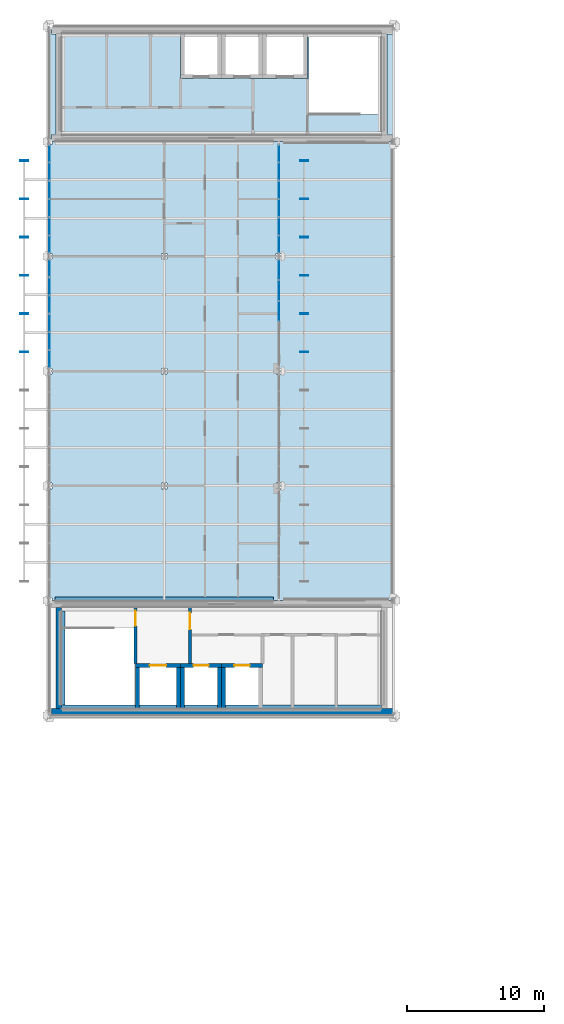
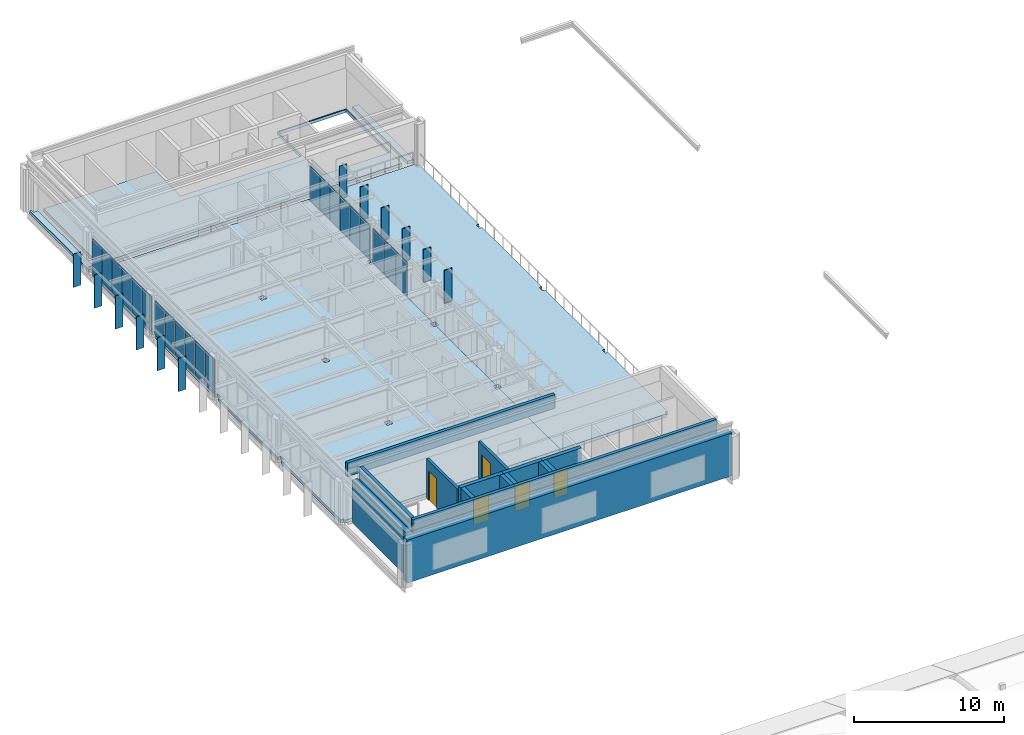
# One storey, part 26 of 31: 33 plates, 15 walls, 5 doors, 5 slabs, 5 openings, 4 elements without a shape of their own.
"""IFC4 building model written with IfcOpenShell, lengths in metres."""

from ifc_helpers import new_model, si_unit, direction, frame, frame_2d, origin, origin_2d, place, context, subcontext, project, spatial, polyline, rectangle, outline, extrude, material, layer, layer_set, material_profile, profile_set, type_object, element, fill, aggregate, save


model = new_model("IFC4")

# Units and contexts
model_context = context("Model", 3, precision=1e-05, world=origin(), true_north=direction((0.0, 1.0)))
body_context = subcontext(model_context, "Body", "Model", "MODEL_VIEW")
ifc_project = project(units=[si_unit("LENGTHUNIT", "METRE"), si_unit("AREAUNIT", "SQUARE_METRE"), si_unit("VOLUMEUNIT", "CUBIC_METRE"), si_unit("PLANEANGLEUNIT", "RADIAN"), si_unit("MASSUNIT", "GRAM", prefix="KILO")], contexts=[model_context])

# Site, building, storey
site_placement = place(None, origin())
site = spatial("IfcSite", under=ifc_project, at=site_placement, CompositionType="ELEMENT")
building_placement = place(site_placement, origin())
building = spatial("IfcBuilding", under=site, at=building_placement, Name="Catenary Quay Ferry Terminal", CompositionType="ELEMENT")
storey_placement = place(building_placement, frame((0.0, 0.0, 20.60009765625)))
storey = spatial("IfcBuildingStorey", under=building, at=storey_placement, Name="L04", CompositionType="ELEMENT", Elevation=20.60009765625)

# Plates
ifc_material_1 = material(Name="Aluminium", Category="aluminium")
ifc_material_profile = material_profile(ifc_material_1, rectangle(XDim=0.06005859375, YDim=0.60009765625, at=origin_2d()), Name="BF1")
ifc_profile_set = profile_set([ifc_material_profile], Name="Aluminium")
plate_type_1 = type_object("IfcPlateType", Name="BF1", PredefinedType="USERDEFINED", material=ifc_profile_set)
for number, where, z_axis, x_axis, name in (
    (1, (23.35009765625, 186.199951171875, 0.2998046875), (0.0, 0.0, 1.0), (0.0, 1.0, 0.0), "Brise-soleil fin W4.1"),
    (2, (23.35009765625, 189.0, 0.2998046875), (0.0, 0.0, 1.0), (0.0, 1.0, 0.0), "Brise-soleil fin W4.2"),
    (3, (23.35009765625, 191.800048828125, 0.2998046875), (0.0, 0.0, 1.0), (0.0, 1.0, 0.0), "Brise-soleil fin W4.3"),
    (4, (23.35009765625, 194.60009765625, 0.2998046875), (0.0, 0.0, 1.0), (0.0, 1.0, 0.0), "Brise-soleil fin W5.1"),
    (5, (23.35009765625, 197.39990234375, 0.2998046875), (0.0, 0.0, 1.0), (0.0, 1.0, 0.0), "Brise-soleil fin W5.2"),
    (6, (23.35009765625, 200.199951171875, 0.2998046875), (0.0, 0.0, 1.0), (0.0, 1.0, 0.0), "Brise-soleil fin W5.3"),
    (7, (43.85009765625, 186.199951171875, 0.2998046875), (0.0, 0.0, 1.0), (0.0, 1.0, 0.0), "Brise-soleil fin E4.1"),
    (8, (43.85009765625, 189.0, 0.2998046875), (0.0, 0.0, 1.0), (0.0, 1.0, 0.0), "Brise-soleil fin E4.2"),
    (9, (43.85009765625, 191.800048828125, 0.2998046875), (0.0, 0.0, 1.0), (0.0, 1.0, 0.0), "Brise-soleil fin E4.3"),
    (10, (43.85009765625, 194.60009765625, 0.2998046875), (0.0, 0.0, 1.0), (0.0, 1.0, 0.0), "Brise-soleil fin E5.1"),
    (11, (43.85009765625, 197.39990234375, 0.2998046875), (0.0, 0.0, 1.0), (0.0, 1.0, 0.0), "Brise-soleil fin E5.2"),
    (12, (43.85009765625, 200.199951171875, 0.2998046875), (0.0, 0.0, 1.0), (0.0, 1.0, 0.0), "Brise-soleil fin E5.3"),
):
    element("IfcPlate", number, at=place(storey_placement, frame(where, z_axis=z_axis, x_axis=x_axis)), inside=storey, type_object=plate_type_1, Name=name, ObjectType="FIN", PredefinedType="USERDEFINED", context=body_context, shape_type="SweptSolid", body=[
        extrude(rectangle(XDim=0.06005859375, YDim=0.60009765625, at=origin_2d()), origin(), (0.0, 0.0, 1.0), 2.695068359375),
    ])

# Slabs
ifc_material_2 = material(Name="Concrete C35/45", Category="concrete")
ifc_layer_1 = layer(ifc_material_2, 0.25)
ifc_layer_set_1 = layer_set([ifc_layer_1], Name="Composite floor slab 250")
slab_type_1 = type_object("IfcSlabType", Name="Composite floor slab 250", PredefinedType="FLOOR", material=ifc_layer_set_1)
slab_1_placement = place(storey_placement, frame((0.0, 0.0, -0.25)))
element("IfcSlab", 13, at=slab_1_placement, inside=storey, type_object=slab_type_1, Name="Wing floor slab L04", PredefinedType="FLOOR", context=body_context, shape_type="SweptSolid", body=[
    extrude(outline(polyline([(25.199951171875, 176.18994140625), (25.409912109375, 176.18994140625), (25.409912109375, 176.610107421875), (25.199951171875, 176.610107421875), (25.199951171875, 184.590087890625), (25.409912109375, 184.590087890625), (25.409912109375, 185.010009765625), (25.199951171875, 185.010009765625), (25.199951171875, 192.989990234375), (25.409912109375, 192.989990234375), (25.409912109375, 193.409912109375), (25.199951171875, 193.409912109375), (25.199951171875, 201.389892578125), (25.409912109375, 201.389892578125), (25.409912109375, 201.590087890625), (42.0, 201.590087890625), (42.0, 193.409912109375), (41.7900390625, 193.409912109375), (41.7900390625, 192.989990234375), (42.0, 192.989990234375), (42.0, 185.010009765625), (41.7900390625, 185.010009765625), (41.7900390625, 184.590087890625), (42.0, 184.590087890625), (42.0, 176.610107421875), (41.7900390625, 176.610107421875), (41.7900390625, 176.18994140625), (42.0, 176.18994140625), (42.0, 168.010009765625), (25.409912109375, 168.010009765625), (25.409912109375, 168.2099609375), (25.199951171875, 168.2099609375), (25.199951171875, 176.18994140625)]), holes=[polyline([(33.81005859375, 176.18994140625), (33.81005859375, 176.610107421875), (33.389892578125, 176.610107421875), (33.389892578125, 176.18994140625), (33.81005859375, 176.18994140625)]), polyline([(33.81005859375, 184.590087890625), (33.81005859375, 185.010009765625), (33.389892578125, 185.010009765625), (33.389892578125, 184.590087890625), (33.81005859375, 184.590087890625)]), polyline([(33.81005859375, 192.989990234375), (33.81005859375, 193.409912109375), (33.389892578125, 193.409912109375), (33.389892578125, 192.989990234375), (33.81005859375, 192.989990234375)])]), origin(), (0.0, 0.0, 1.0), 0.25),
])
slab_2_placement = place(storey_placement, frame((0.0, 0.0, -0.25)))
element("IfcSlab", 14, at=slab_2_placement, inside=storey, type_object=slab_type_1, Name="Wing floor slab L04", PredefinedType="FLOOR", context=body_context, shape_type="SweptSolid", body=[
    extrude(outline(polyline([(25.199951171875, 209.7900390625), (25.340087890625, 209.7900390625), (25.340087890625, 209.489990234375), (25.68994140625, 209.489990234375), (25.68994140625, 202.110107421875), (25.340087890625, 202.110107421875), (25.340087890625, 201.81005859375), (25.199951171875, 201.81005859375), (25.199951171875, 209.7900390625)])), origin(), (0.0, 0.0, 1.0), 0.25),
])
slab_3_placement = place(storey_placement, frame((0.0, 0.0, -0.25)))
element("IfcSlab", 15, at=slab_3_placement, inside=storey, type_object=slab_type_1, Name="Wing floor slab L04", PredefinedType="FLOOR", context=body_context, shape_type="SweptSolid", body=[
    extrude(outline(polyline([(50.39990234375, 202.110107421875), (49.909912109375, 202.110107421875), (49.909912109375, 209.489990234375), (50.39990234375, 209.489990234375), (50.39990234375, 202.110107421875)])), origin(), (0.0, 0.0, 1.0), 0.25),
])
slab_4_placement = place(storey_placement, frame((0.0, 0.0, -0.25)))
element("IfcSlab", 16, at=slab_4_placement, inside=storey, type_object=slab_type_1, Name="Wing floor slab L04", PredefinedType="FLOOR", context=body_context, shape_type="SweptSolid", body=[
    extrude(outline(polyline([(26.110107421875, 209.489990234375), (34.800048828125, 209.489990234375), (34.800048828125, 206.199951171875), (37.800048828125, 206.199951171875), (40.800048828125, 206.199951171875), (44.10009765625, 206.199951171875), (44.10009765625, 209.489990234375), (49.489990234375, 209.489990234375), (49.489990234375, 202.110107421875), (26.110107421875, 202.110107421875), (26.110107421875, 209.489990234375)]), holes=[polyline([(49.39990234375, 203.60009765625), (49.39990234375, 209.39990234375), (44.199951171875, 209.39990234375), (44.199951171875, 203.60009765625), (49.39990234375, 203.60009765625)])]), origin(), (0.0, 0.0, 1.0), 0.25),
])
ifc_material_3 = material(Name="Concrete C35/45", Category="concrete")
ifc_layer_2 = layer(ifc_material_3, 0.25)
ifc_layer_set_2 = layer_set([ifc_layer_2], Name="Composite roof slab 250")
slab_type_2 = type_object("IfcSlabType", Name="Composite roof slab 250", PredefinedType="ROOF", material=ifc_layer_set_2)
slab_5_placement = place(storey_placement, frame((0.0, 0.0, -0.25)))
element("IfcSlab", 17, at=slab_5_placement, inside=storey, type_object=slab_type_2, Name="Wing roof terrace slab", PredefinedType="ROOF", context=body_context, shape_type="SweptSolid", body=[
    extrude(outline(polyline([(50.39990234375, 168.2099609375), (50.18994140625, 168.2099609375), (50.18994140625, 168.010009765625), (42.0, 168.010009765625), (42.0, 176.18994140625), (42.2099609375, 176.18994140625), (42.2099609375, 176.610107421875), (42.0, 176.610107421875), (42.0, 184.590087890625), (42.2099609375, 184.590087890625), (42.2099609375, 185.010009765625), (42.0, 185.010009765625), (42.0, 192.989990234375), (42.2099609375, 192.989990234375), (42.2099609375, 193.409912109375), (42.0, 193.409912109375), (42.0, 201.590087890625), (50.18994140625, 201.590087890625), (50.18994140625, 201.389892578125), (50.39990234375, 201.389892578125), (50.39990234375, 193.409912109375), (50.18994140625, 193.409912109375), (50.18994140625, 192.989990234375), (50.39990234375, 192.989990234375), (50.39990234375, 185.010009765625), (50.18994140625, 185.010009765625), (50.18994140625, 184.590087890625), (50.39990234375, 184.590087890625), (50.39990234375, 176.610107421875), (50.18994140625, 176.610107421875), (50.18994140625, 176.18994140625), (50.39990234375, 176.18994140625), (50.39990234375, 168.2099609375)])), origin(), (0.0, 0.0, 1.0), 0.25),
])

# Curtain wall, plates
ifc_material_4 = material(Name="Aluminium and glass", Category="aluminium")
curtain_wall_type = type_object("IfcCurtainWallType", Name="CWW5", PredefinedType="NOTDEFINED", material=ifc_material_4)
curtain_wall_1_placement = place(storey_placement, origin())
curtain_wall_1 = element("IfcCurtainWall", 18, at=curtain_wall_1_placement, inside=storey, type_object=curtain_wall_type, Name="Wing curtain wall CW156", PredefinedType="NOTDEFINED")
ifc_material_5 = material(Name="Glass", Category="glass")
ifc_layer_3 = layer(ifc_material_5, 0.050048828125)
ifc_layer_set_3 = layer_set([ifc_layer_3], Name="PN5")
plate_type_2 = type_object("IfcPlateType", Name="PN5", PredefinedType="CURTAIN_PANEL", material=ifc_layer_set_3)
plate_1_placement = place(storey_placement, frame((25.199951171875, 185.681640625, 0.0498046875), z_axis=(0.0, 0.0, 1.0), x_axis=(0.0, 1.0, 0.0)))
plate_1 = element("IfcPlate", 19, at=plate_1_placement, type_object=plate_type_2, Name="CW156 panel 1.1", PredefinedType="CURTAIN_PANEL", context=body_context, shape_type="SweptSolid", body=[
    extrude(rectangle(XDim=1.243408203125, YDim=0.050048828125, at=origin_2d()), origin(), (0.0, 0.0, 1.0), 2.800048828125),
])
plate_2_placement = place(storey_placement, frame((25.199951171875, 187.0, 0.0498046875), z_axis=(0.0, 0.0, 1.0), x_axis=(0.0, 1.0, 0.0)))
plate_2 = element("IfcPlate", 20, at=plate_2_placement, type_object=plate_type_2, Name="CW156 panel 2.1", PredefinedType="CURTAIN_PANEL", context=body_context, shape_type="SweptSolid", body=[
    extrude(rectangle(XDim=1.2734375, YDim=0.050048828125, at=origin_2d()), origin(), (0.0, 0.0, 1.0), 2.800048828125),
])
plate_3_placement = place(storey_placement, frame((25.199951171875, 188.333251953125, 0.0498046875), z_axis=(0.0, 0.0, 1.0), x_axis=(0.0, 1.0, 0.0)))
plate_3 = element("IfcPlate", 21, at=plate_3_placement, type_object=plate_type_2, Name="CW156 panel 3.1", PredefinedType="CURTAIN_PANEL", context=body_context, shape_type="SweptSolid", body=[
    extrude(rectangle(XDim=1.2734375, YDim=0.050048828125, at=origin_2d()), origin(), (0.0, 0.0, 1.0), 2.800048828125),
])
plate_4_placement = place(storey_placement, frame((25.199951171875, 189.666748046875, 0.0498046875), z_axis=(0.0, 0.0, 1.0), x_axis=(0.0, 1.0, 0.0)))
plate_4 = element("IfcPlate", 22, at=plate_4_placement, type_object=plate_type_2, Name="CW156 panel 4.1", PredefinedType="CURTAIN_PANEL", context=body_context, shape_type="SweptSolid", body=[
    extrude(rectangle(XDim=1.2734375, YDim=0.050048828125, at=origin_2d()), origin(), (0.0, 0.0, 1.0), 2.800048828125),
])
plate_5_placement = place(storey_placement, frame((25.199951171875, 191.0, 0.0498046875), z_axis=(0.0, 0.0, 1.0), x_axis=(0.0, 1.0, 0.0)))
plate_5 = element("IfcPlate", 23, at=plate_5_placement, type_object=plate_type_2, Name="CW156 panel 5.1", PredefinedType="CURTAIN_PANEL", context=body_context, shape_type="SweptSolid", body=[
    extrude(rectangle(XDim=1.2734375, YDim=0.050048828125, at=origin_2d()), origin(), (0.0, 0.0, 1.0), 2.800048828125),
])
plate_6_placement = place(storey_placement, frame((25.199951171875, 192.318359375, 0.0498046875), z_axis=(0.0, 0.0, 1.0), x_axis=(0.0, 1.0, 0.0)))
plate_6 = element("IfcPlate", 24, at=plate_6_placement, type_object=plate_type_2, Name="CW156 panel 6.1", PredefinedType="CURTAIN_PANEL", context=body_context, shape_type="SweptSolid", body=[
    extrude(rectangle(XDim=1.243408203125, YDim=0.050048828125, at=origin_2d()), origin(), (0.0, 0.0, 1.0), 2.800048828125),
])
aggregate(curtain_wall_1, [plate_1, plate_2, plate_3, plate_4, plate_5, plate_6])

curtain_wall_2_placement = place(storey_placement, origin())
curtain_wall_2 = element("IfcCurtainWall", 25, at=curtain_wall_2_placement, inside=storey, type_object=curtain_wall_type, Name="Wing curtain wall CW157", PredefinedType="NOTDEFINED")
plate_7_placement = place(storey_placement, frame((25.199951171875, 194.081787109375, 0.0498046875), z_axis=(0.0, 0.0, 1.0), x_axis=(0.0, 1.0, 0.0)))
plate_7 = element("IfcPlate", 26, at=plate_7_placement, type_object=plate_type_2, Name="CW157 panel 1.1", PredefinedType="CURTAIN_PANEL", context=body_context, shape_type="SweptSolid", body=[
    extrude(rectangle(XDim=1.243408203125, YDim=0.050048828125, at=origin_2d()), origin(), (0.0, 0.0, 1.0), 2.800048828125),
])
plate_8_placement = place(storey_placement, frame((25.199951171875, 195.39990234375, 0.0498046875), z_axis=(0.0, 0.0, 1.0), x_axis=(0.0, 1.0, 0.0)))
plate_8 = element("IfcPlate", 27, at=plate_8_placement, type_object=plate_type_2, Name="CW157 panel 2.1", PredefinedType="CURTAIN_PANEL", context=body_context, shape_type="SweptSolid", body=[
    extrude(rectangle(XDim=1.2734375, YDim=0.050048828125, at=origin_2d()), origin(), (0.0, 0.0, 1.0), 2.800048828125),
])
plate_9_placement = place(storey_placement, frame((25.199951171875, 196.7333984375, 0.0498046875), z_axis=(0.0, 0.0, 1.0), x_axis=(0.0, 1.0, 0.0)))
plate_9 = element("IfcPlate", 28, at=plate_9_placement, type_object=plate_type_2, Name="CW157 panel 3.1", PredefinedType="CURTAIN_PANEL", context=body_context, shape_type="SweptSolid", body=[
    extrude(rectangle(XDim=1.2734375, YDim=0.050048828125, at=origin_2d()), origin(), (0.0, 0.0, 1.0), 2.800048828125),
])
plate_10_placement = place(storey_placement, frame((25.199951171875, 198.066650390625, 0.0498046875), z_axis=(0.0, 0.0, 1.0), x_axis=(0.0, 1.0, 0.0)))
plate_10 = element("IfcPlate", 29, at=plate_10_placement, type_object=plate_type_2, Name="CW157 panel 4.1", PredefinedType="CURTAIN_PANEL", context=body_context, shape_type="SweptSolid", body=[
    extrude(rectangle(XDim=1.2734375, YDim=0.050048828125, at=origin_2d()), origin(), (0.0, 0.0, 1.0), 2.800048828125),
])
plate_11_placement = place(storey_placement, frame((25.199951171875, 199.39990234375, 0.0498046875), z_axis=(0.0, 0.0, 1.0), x_axis=(0.0, 1.0, 0.0)))
plate_11 = element("IfcPlate", 30, at=plate_11_placement, type_object=plate_type_2, Name="CW157 panel 5.1", PredefinedType="CURTAIN_PANEL", context=body_context, shape_type="SweptSolid", body=[
    extrude(rectangle(XDim=1.2734375, YDim=0.050048828125, at=origin_2d()), origin(), (0.0, 0.0, 1.0), 2.800048828125),
])
plate_12_placement = place(storey_placement, frame((25.199951171875, 200.71826171875, 0.0498046875), z_axis=(0.0, 0.0, 1.0), x_axis=(0.0, 1.0, 0.0)))
plate_12 = element("IfcPlate", 31, at=plate_12_placement, type_object=plate_type_2, Name="CW157 panel 6.1", PredefinedType="CURTAIN_PANEL", context=body_context, shape_type="SweptSolid", body=[
    extrude(rectangle(XDim=1.243408203125, YDim=0.050048828125, at=origin_2d()), origin(), (0.0, 0.0, 1.0), 2.800048828125),
])
aggregate(curtain_wall_2, [plate_7, plate_8, plate_9, plate_10, plate_11, plate_12])

curtain_wall_3_placement = place(storey_placement, origin())
curtain_wall_3 = element("IfcCurtainWall", 32, at=curtain_wall_3_placement, inside=storey, type_object=curtain_wall_type, Name="Wing curtain wall CW161", PredefinedType="NOTDEFINED")
plate_13_placement = place(storey_placement, frame((42.0, 189.181640625, 0.0498046875), z_axis=(0.0, 0.0, 1.0), x_axis=(0.0, 1.0, 0.0)))
plate_13 = element("IfcPlate", 33, at=plate_13_placement, type_object=plate_type_2, Name="CW161 panel 1.1", PredefinedType="CURTAIN_PANEL", context=body_context, shape_type="SweptSolid", body=[
    extrude(rectangle(XDim=1.443359375, YDim=0.050048828125, at=origin_2d()), origin(), (0.0, 0.0, 1.0), 2.800048828125),
])
plate_14_placement = place(storey_placement, frame((42.0, 190.699951171875, 0.0498046875), z_axis=(0.0, 0.0, 1.0), x_axis=(0.0, 1.0, 0.0)))
plate_14 = element("IfcPlate", 34, at=plate_14_placement, type_object=plate_type_2, Name="CW161 panel 2.1", PredefinedType="CURTAIN_PANEL", context=body_context, shape_type="SweptSolid", body=[
    extrude(rectangle(XDim=1.473388671875, YDim=0.050048828125, at=origin_2d()), origin(), (0.0, 0.0, 1.0), 2.800048828125),
])
plate_15_placement = place(storey_placement, frame((42.0, 192.21826171875, 0.0498046875), z_axis=(0.0, 0.0, 1.0), x_axis=(0.0, 1.0, 0.0)))
plate_15 = element("IfcPlate", 35, at=plate_15_placement, type_object=plate_type_2, Name="CW161 panel 3.1", PredefinedType="CURTAIN_PANEL", context=body_context, shape_type="SweptSolid", body=[
    extrude(rectangle(XDim=1.443359375, YDim=0.050048828125, at=origin_2d()), origin(), (0.0, 0.0, 1.0), 2.800048828125),
])
aggregate(curtain_wall_3, [plate_13, plate_14, plate_15])

curtain_wall_4_placement = place(storey_placement, origin())
curtain_wall_4 = element("IfcCurtainWall", 36, at=curtain_wall_4_placement, inside=storey, type_object=curtain_wall_type, Name="Wing curtain wall CW162", PredefinedType="NOTDEFINED")
plate_16_placement = place(storey_placement, frame((42.0, 194.081787109375, 0.0498046875), z_axis=(0.0, 0.0, 1.0), x_axis=(0.0, 1.0, 0.0)))
plate_16 = element("IfcPlate", 37, at=plate_16_placement, type_object=plate_type_2, Name="CW162 panel 1.1", PredefinedType="CURTAIN_PANEL", context=body_context, shape_type="SweptSolid", body=[
    extrude(rectangle(XDim=1.243408203125, YDim=0.050048828125, at=origin_2d()), origin(), (0.0, 0.0, 1.0), 2.800048828125),
])
plate_17_placement = place(storey_placement, frame((42.0, 195.39990234375, 0.0498046875), z_axis=(0.0, 0.0, 1.0), x_axis=(0.0, 1.0, 0.0)))
plate_17 = element("IfcPlate", 38, at=plate_17_placement, type_object=plate_type_2, Name="CW162 panel 2.1", PredefinedType="CURTAIN_PANEL", context=body_context, shape_type="SweptSolid", body=[
    extrude(rectangle(XDim=1.2734375, YDim=0.050048828125, at=origin_2d()), origin(), (0.0, 0.0, 1.0), 2.800048828125),
])
plate_18_placement = place(storey_placement, frame((42.0, 196.7333984375, 0.0498046875), z_axis=(0.0, 0.0, 1.0), x_axis=(0.0, 1.0, 0.0)))
plate_18 = element("IfcPlate", 39, at=plate_18_placement, type_object=plate_type_2, Name="CW162 panel 3.1", PredefinedType="CURTAIN_PANEL", context=body_context, shape_type="SweptSolid", body=[
    extrude(rectangle(XDim=1.2734375, YDim=0.050048828125, at=origin_2d()), origin(), (0.0, 0.0, 1.0), 2.800048828125),
])
plate_19_placement = place(storey_placement, frame((42.0, 198.066650390625, 0.0498046875), z_axis=(0.0, 0.0, 1.0), x_axis=(0.0, 1.0, 0.0)))
plate_19 = element("IfcPlate", 40, at=plate_19_placement, type_object=plate_type_2, Name="CW162 panel 4.1", PredefinedType="CURTAIN_PANEL", context=body_context, shape_type="SweptSolid", body=[
    extrude(rectangle(XDim=1.2734375, YDim=0.050048828125, at=origin_2d()), origin(), (0.0, 0.0, 1.0), 2.800048828125),
])
plate_20_placement = place(storey_placement, frame((42.0, 199.39990234375, 0.0498046875), z_axis=(0.0, 0.0, 1.0), x_axis=(0.0, 1.0, 0.0)))
plate_20 = element("IfcPlate", 41, at=plate_20_placement, type_object=plate_type_2, Name="CW162 panel 5.1", PredefinedType="CURTAIN_PANEL", context=body_context, shape_type="SweptSolid", body=[
    extrude(rectangle(XDim=1.2734375, YDim=0.050048828125, at=origin_2d()), origin(), (0.0, 0.0, 1.0), 2.800048828125),
])
plate_21_placement = place(storey_placement, frame((42.0, 200.71826171875, 0.0498046875), z_axis=(0.0, 0.0, 1.0), x_axis=(0.0, 1.0, 0.0)))
plate_21 = element("IfcPlate", 42, at=plate_21_placement, type_object=plate_type_2, Name="CW162 panel 6.1", PredefinedType="CURTAIN_PANEL", context=body_context, shape_type="SweptSolid", body=[
    extrude(rectangle(XDim=1.243408203125, YDim=0.050048828125, at=origin_2d()), origin(), (0.0, 0.0, 1.0), 2.800048828125),
])
aggregate(curtain_wall_4, [plate_16, plate_17, plate_18, plate_19, plate_20, plate_21])

# Walls
ifc_material_6 = material(Name="Concrete C50/60", Category="concrete")
ifc_layer_4 = layer(ifc_material_6, 0.39990234375)
ifc_layer_set_4 = layer_set([ifc_layer_4], Name="Core wall 400")
wall_type_1 = type_object("IfcWallType", Name="Core wall 400", PredefinedType="SHEAR", material=ifc_layer_set_4)
wall_1_placement = place(storey_placement, frame((25.89990234375, 160.10009765625, 0.0), z_axis=(0.0, 0.0, 1.0), x_axis=(0.0, 1.0, 0.0)))
element("IfcWall", 43, at=wall_1_placement, inside=storey, type_object=wall_type_1, Name="Core wall S3", PredefinedType="SHEAR", context=body_context, shape_type="SweptSolid", body=[
    extrude(rectangle(XDim=7.39990234375, YDim=0.39990234375, at=frame_2d((3.699951171875, 0.0))), origin(), (0.0, 0.0, 1.0), 3.5),
])
ifc_material_7 = material(Name="Concrete C50/60", Category="concrete")
ifc_layer_5 = layer(ifc_material_7, 0.5)
ifc_layer_set_5 = layer_set([ifc_layer_5], Name="Core wall 500")
wall_type_2 = type_object("IfcWallType", Name="Core wall 500", PredefinedType="SHEAR", material=ifc_layer_set_5)
wall_2_placement = place(storey_placement, frame((25.35009765625, 159.85009765625, 0.0), z_axis=(0.0, 0.0, 1.0), x_axis=(1.0, 0.0, 0.0)))
element("IfcWall", 44, at=wall_2_placement, inside=storey, type_object=wall_type_2, Name="Core wall S1", PredefinedType="SHEAR", context=body_context, shape_type="SweptSolid", body=[
    extrude(rectangle(XDim=25.04296875, YDim=0.5, at=frame_2d((12.521484375, 0.0))), origin(), (0.0, 0.0, 1.0), 3.5),
])
ifc_material_8 = material(Name="Masonry and insulation", Category="masonry")
ifc_layer_6 = layer(ifc_material_8, 0.25)
ifc_layer_set_6 = layer_set([ifc_layer_6], Name="EW5")
wall_type_3 = type_object("IfcWallType", Name="EW5", PredefinedType="PARAPET", material=ifc_layer_set_6)
wall_3_placement = place(storey_placement, frame((26.10009765625, 160.22509765625, 3.5), z_axis=(0.0, 0.0, 1.0), x_axis=(1.0, 0.0, 0.0)))
element("IfcWall", 45, at=wall_3_placement, inside=storey, type_object=wall_type_3, Name="Parapet wall WL225", PredefinedType="PARAPET", context=body_context, shape_type="SweptSolid", body=[
    extrude(rectangle(XDim=23.39990234375, YDim=0.25, at=frame_2d((11.699951171875, 0.0))), origin(), (0.0, 0.0, 1.0), 1.099853515625),
])
wall_4_placement = place(storey_placement, frame((25.6025390625, 168.125, 3.5), z_axis=(0.0, 0.0, 1.0), x_axis=(1.0, 0.0, 0.0)))
element("IfcWall", 46, at=wall_4_placement, inside=storey, type_object=wall_type_3, Name="Parapet wall WL229", PredefinedType="PARAPET", context=body_context, shape_type="SweptSolid", body=[
    extrude(rectangle(XDim=15.994873046875, YDim=0.25, at=frame_2d((7.99755859375, 0.0))), origin(), (0.0, 0.0, 1.0), 1.099853515625),
])
wall_5_placement = place(storey_placement, frame((26.22509765625, 160.35009765625, 3.5), z_axis=(0.0, 0.0, 1.0), x_axis=(0.0, 1.0, 0.0)))
element("IfcWall", 47, at=wall_5_placement, inside=storey, type_object=wall_type_3, Name="Parapet wall WL230", PredefinedType="PARAPET", context=body_context, shape_type="SweptSolid", body=[
    extrude(rectangle(XDim=6.89990234375, YDim=0.25, at=frame_2d((3.449951171875, 0.0))), origin(), (0.0, 0.0, 1.0), 1.099853515625),
])

# Wall, opening, door
ifc_material_9 = material(Name="Blockwork and plaster", Category="masonry")
ifc_layer_7 = layer(ifc_material_9, 0.199951171875)
ifc_layer_set_7 = layer_set([ifc_layer_7], Name="IP4")
wall_type_4 = type_object("IfcWallType", Name="IP4", PredefinedType="PARTITIONING", material=ifc_layer_set_7)
wall_6_placement = place(storey_placement, frame((31.5, 163.39990234375, 0.0), z_axis=(0.0, 0.0, 1.0), x_axis=(0.0, 1.0, 0.0)))
wall_6 = element("IfcWall", 48, at=wall_6_placement, inside=storey, type_object=wall_type_4, Name="Partition L04 20", PredefinedType="PARTITIONING", context=body_context, shape_type="SweptSolid", body=[
    extrude(rectangle(XDim=4.10009765625, YDim=0.199951171875, at=frame_2d((2.050048828125, 0.0))), origin(), (0.0, 0.0, 1.0), 3.25),
])
opening_1_placement = place(wall_6_placement, frame((2.75, 0.0, 0.0)))
opening_1 = element("IfcOpeningElement", 49, at=opening_1_placement, cuts=wall_6, Name="Opening D227", PredefinedType="OPENING", context=body_context, shape_type="SweptSolid", body=[
    extrude(rectangle(XDim=1.10009765625, YDim=2.39990234375, at=frame_2d((0.550048828125, 1.199951171875))), frame((0.0, 0.10986328125, 0.0), z_axis=(0.0, -1.0, 0.0), x_axis=(1.0, 0.0, 0.0)), (0.0, 0.0, 1.0), 0.219970703125),
])
ifc_material_10 = material(Name="Steel", Category="steel")
door_type_1 = type_object("IfcDoorType", Name="DI4", OperationType="SINGLE_SWING_LEFT", PredefinedType="DOOR", material=ifc_material_10)
door_1_placement = place(opening_1_placement, origin())
door_1 = element("IfcDoor", 50, at=door_1_placement, inside=storey, type_object=door_type_1, Name="Stair HS2 to Fire-fighting Lobby S", OperationType="SINGLE_SWING_RIGHT", OverallHeight=2.39990234375, OverallWidth=1.10009765625, PredefinedType="DOOR", context=body_context, shape_type="SweptSolid", body=[
    extrude(rectangle(XDim=1.10009765625, YDim=2.39990234375, at=frame_2d((0.550048828125, 1.199951171875))), frame((0.0, 0.02490234375, 0.0), z_axis=(0.0, -1.0, 0.0), x_axis=(1.0, 0.0, 0.0)), (0.0, 0.0, 1.0), 0.050048828125),
])
fill(opening_1, door_1)

wall_7_placement = place(storey_placement, frame((35.5, 163.39990234375, 0.0), z_axis=(0.0, 0.0, 1.0), x_axis=(0.0, 1.0, 0.0)))
wall_7 = element("IfcWall", 51, at=wall_7_placement, inside=storey, type_object=wall_type_4, Name="Partition L04 25", PredefinedType="PARTITIONING", context=body_context, shape_type="SweptSolid", body=[
    extrude(rectangle(XDim=4.10009765625, YDim=0.199951171875, at=frame_2d((2.050048828125, 0.0))), origin(), (0.0, 0.0, 1.0), 3.25),
])
opening_2_placement = place(wall_7_placement, frame((2.5, 0.0, 0.0)))
opening_2 = element("IfcOpeningElement", 52, at=opening_2_placement, cuts=wall_7, Name="Opening D219", PredefinedType="OPENING", context=body_context, shape_type="SweptSolid", body=[
    extrude(rectangle(XDim=1.199951171875, YDim=2.39990234375, at=frame_2d((0.60009765625, 1.199951171875))), frame((0.0, 0.10986328125, 0.0), z_axis=(0.0, -1.0, 0.0), x_axis=(1.0, 0.0, 0.0)), (0.0, 0.0, 1.0), 0.219970703125),
])
ifc_material_11 = material(Name="Steel and glass", Category="steel")
door_type_2 = type_object("IfcDoorType", Name="DI10", OperationType="SINGLE_SWING_LEFT", PredefinedType="DOOR", material=ifc_material_11)
door_2_placement = place(opening_2_placement, origin())
door_2 = element("IfcDoor", 53, at=door_2_placement, inside=storey, type_object=door_type_2, Name="Fire-fighting Lobby S to Core Corridor S", OperationType="SINGLE_SWING_RIGHT", OverallHeight=2.39990234375, OverallWidth=1.199951171875, PredefinedType="DOOR", context=body_context, shape_type="SweptSolid", body=[
    extrude(rectangle(XDim=1.199951171875, YDim=2.39990234375, at=frame_2d((0.60009765625, 1.199951171875))), frame((0.0, 0.02490234375, 0.0), z_axis=(0.0, -1.0, 0.0), x_axis=(1.0, 0.0, 0.0)), (0.0, 0.0, 1.0), 0.050048828125),
])
fill(opening_2, door_2)

# Walls
ifc_material_12 = material(Name="Concrete C50/60", Category="concrete")
ifc_layer_8 = layer(ifc_material_12, 0.300048828125)
ifc_layer_set_8 = layer_set([ifc_layer_8], Name="Shaft wall 300")
wall_type_5 = type_object("IfcWallType", Name="Shaft wall 300", PredefinedType="SHEAR", material=ifc_layer_set_8)
for number, where, z_axis, x_axis, name in (
    (54, (34.64990234375, 160.10009765625, 0.0), (0.0, 0.0, 1.0), (0.0, 1.0, 0.0), "Shaft wall FL1 E"),
    (55, (31.64990234375, 160.10009765625, 0.0), (0.0, 0.0, 1.0), (0.0, 1.0, 0.0), "Shaft wall FL1 W"),
):
    element("IfcWall", number, at=place(storey_placement, frame(where, z_axis=z_axis, x_axis=x_axis)), inside=storey, type_object=wall_type_5, Name=name, PredefinedType="SHEAR", context=body_context, shape_type="SweptSolid", body=[
        extrude(rectangle(XDim=3.0, YDim=0.300048828125, at=frame_2d((1.5, 0.0))), origin(), (0.0, 0.0, 1.0), 3.5),
    ])

# Wall, opening, door
wall_8_placement = place(storey_placement, frame((31.5, 163.25, 0.0), z_axis=(0.0, 0.0, 1.0), x_axis=(1.0, 0.0, 0.0)))
wall_8 = element("IfcWall", 56, at=wall_8_placement, inside=storey, type_object=wall_type_5, Name="Shaft wall FL1 N", PredefinedType="SHEAR", context=body_context, shape_type="SweptSolid", body=[
    extrude(rectangle(XDim=3.300048828125, YDim=0.300048828125, at=frame_2d((1.64990234375, 0.0))), origin(), (0.0, 0.0, 1.0), 3.5),
])
opening_3_placement = place(wall_8_placement, frame((1.050048828125, 0.0, 0.0)))
opening_3 = element("IfcOpeningElement", 57, at=opening_3_placement, cuts=wall_8, Name="Opening LD9", PredefinedType="OPENING", context=body_context, shape_type="SweptSolid", body=[
    extrude(rectangle(XDim=1.199951171875, YDim=2.10009765625, at=frame_2d((0.60009765625, 1.050048828125))), frame((0.0, 0.159912109375, 0.0), z_axis=(0.0, -1.0, 0.0), x_axis=(1.0, 0.0, 0.0)), (0.0, 0.0, 1.0), 0.320068359375),
])
ifc_material_13 = material(Name="Stainless steel", Category="steel")
door_type_3 = type_object("IfcDoorType", Name="DL2", OperationType="SLIDING_TO_LEFT", PredefinedType="DOOR", material=ifc_material_13)
door_3_placement = place(opening_3_placement, origin())
door_3 = element("IfcDoor", 58, at=door_3_placement, inside=storey, type_object=door_type_3, Name="Lift FL1 landing door L04", OperationType="SLIDING_TO_LEFT", OverallHeight=2.10009765625, OverallWidth=1.199951171875, PredefinedType="DOOR", context=body_context, shape_type="SweptSolid", body=[
    extrude(rectangle(XDim=1.199951171875, YDim=2.10009765625, at=frame_2d((0.60009765625, 1.050048828125))), frame((0.0, 0.02490234375, 0.0), z_axis=(0.0, -1.0, 0.0), x_axis=(1.0, 0.0, 0.0)), (0.0, 0.0, 1.0), 0.050048828125),
])
fill(opening_3, door_3)

# Walls
for number, where, z_axis, x_axis, name in (
    (59, (37.64990234375, 160.10009765625, 0.0), (0.0, 0.0, 1.0), (0.0, 1.0, 0.0), "Shaft wall GL1 E"),
    (60, (34.949951171875, 160.10009765625, 0.0), (0.0, 0.0, 1.0), (0.0, 1.0, 0.0), "Shaft wall GL1 W"),
):
    element("IfcWall", number, at=place(storey_placement, frame(where, z_axis=z_axis, x_axis=x_axis)), inside=storey, type_object=wall_type_5, Name=name, PredefinedType="SHEAR", context=body_context, shape_type="SweptSolid", body=[
        extrude(rectangle(XDim=3.0, YDim=0.300048828125, at=frame_2d((1.5, 0.0))), origin(), (0.0, 0.0, 1.0), 3.5),
    ])

# Wall, opening, door
wall_9_placement = place(storey_placement, frame((34.800048828125, 163.25, 0.0), z_axis=(0.0, 0.0, 1.0), x_axis=(1.0, 0.0, 0.0)))
wall_9 = element("IfcWall", 61, at=wall_9_placement, inside=storey, type_object=wall_type_5, Name="Shaft wall GL1 N", PredefinedType="SHEAR", context=body_context, shape_type="SweptSolid", body=[
    extrude(rectangle(XDim=3.0, YDim=0.300048828125, at=frame_2d((1.5, 0.0))), origin(), (0.0, 0.0, 1.0), 3.5),
])
opening_4_placement = place(wall_9_placement, frame((0.949951171875, 0.0, 0.0)))
opening_4 = element("IfcOpeningElement", 62, at=opening_4_placement, cuts=wall_9, Name="Opening LD19", PredefinedType="OPENING", context=body_context, shape_type="SweptSolid", body=[
    extrude(rectangle(XDim=1.10009765625, YDim=2.10009765625, at=frame_2d((0.550048828125, 1.050048828125))), frame((0.0, 0.159912109375, 0.0), z_axis=(0.0, -1.0, 0.0), x_axis=(1.0, 0.0, 0.0)), (0.0, 0.0, 1.0), 0.320068359375),
])
ifc_material_14 = material(Name="Stainless steel", Category="steel")
door_type_4 = type_object("IfcDoorType", Name="DL1", OperationType="SLIDING_TO_LEFT", PredefinedType="DOOR", material=ifc_material_14)
door_4_placement = place(opening_4_placement, origin())
door_4 = element("IfcDoor", 63, at=door_4_placement, inside=storey, type_object=door_type_4, Name="Lift GL1 landing door L04", OperationType="SLIDING_TO_LEFT", OverallHeight=2.10009765625, OverallWidth=1.10009765625, PredefinedType="DOOR", context=body_context, shape_type="SweptSolid", body=[
    extrude(rectangle(XDim=1.10009765625, YDim=2.10009765625, at=frame_2d((0.550048828125, 1.050048828125))), frame((0.0, 0.02490234375, 0.0), z_axis=(0.0, -1.0, 0.0), x_axis=(1.0, 0.0, 0.0)), (0.0, 0.0, 1.0), 0.050048828125),
])
fill(opening_4, door_4)

# Wall
wall_10_placement = place(storey_placement, frame((37.949951171875, 160.10009765625, 0.0), z_axis=(0.0, 0.0, 1.0), x_axis=(0.0, 1.0, 0.0)))
element("IfcWall", 64, at=wall_10_placement, inside=storey, type_object=wall_type_5, Name="Shaft wall GL2 W", PredefinedType="SHEAR", context=body_context, shape_type="SweptSolid", body=[
    extrude(rectangle(XDim=3.0, YDim=0.300048828125, at=frame_2d((1.5, 0.0))), origin(), (0.0, 0.0, 1.0), 3.5),
])

# Wall, opening, door
wall_11_placement = place(storey_placement, frame((37.800048828125, 163.25, 0.0), z_axis=(0.0, 0.0, 1.0), x_axis=(1.0, 0.0, 0.0)))
wall_11 = element("IfcWall", 65, at=wall_11_placement, inside=storey, type_object=wall_type_5, Name="Shaft wall GL2 N", PredefinedType="SHEAR", context=body_context, shape_type="SweptSolid", body=[
    extrude(rectangle(XDim=3.0, YDim=0.300048828125, at=frame_2d((1.5, 0.0))), origin(), (0.0, 0.0, 1.0), 3.5),
])
opening_5_placement = place(wall_11_placement, frame((0.949951171875, 0.0, 0.0)))
opening_5 = element("IfcOpeningElement", 66, at=opening_5_placement, cuts=wall_11, Name="Opening LD24", PredefinedType="OPENING", context=body_context, shape_type="SweptSolid", body=[
    extrude(rectangle(XDim=1.10009765625, YDim=2.10009765625, at=frame_2d((0.550048828125, 1.050048828125))), frame((0.0, 0.159912109375, 0.0), z_axis=(0.0, -1.0, 0.0), x_axis=(1.0, 0.0, 0.0)), (0.0, 0.0, 1.0), 0.320068359375),
])
door_5_placement = place(opening_5_placement, origin())
door_5 = element("IfcDoor", 67, at=door_5_placement, inside=storey, type_object=door_type_4, Name="Lift GL2 landing door L04", OperationType="SLIDING_TO_LEFT", OverallHeight=2.10009765625, OverallWidth=1.10009765625, PredefinedType="DOOR", context=body_context, shape_type="SweptSolid", body=[
    extrude(rectangle(XDim=1.10009765625, YDim=2.10009765625, at=frame_2d((0.550048828125, 1.050048828125))), frame((0.0, 0.02490234375, 0.0), z_axis=(0.0, -1.0, 0.0), x_axis=(1.0, 0.0, 0.0)), (0.0, 0.0, 1.0), 0.050048828125),
])
fill(opening_5, door_5)

save(model, "model.ifc")
